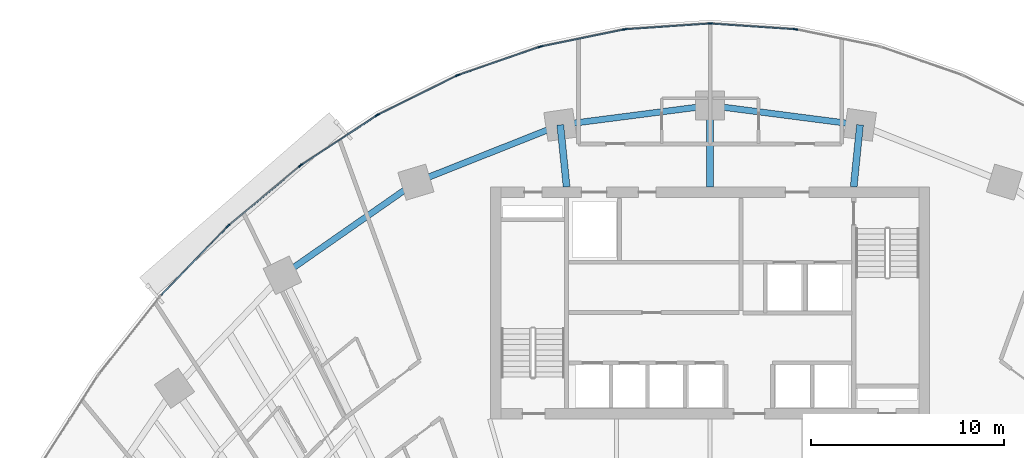
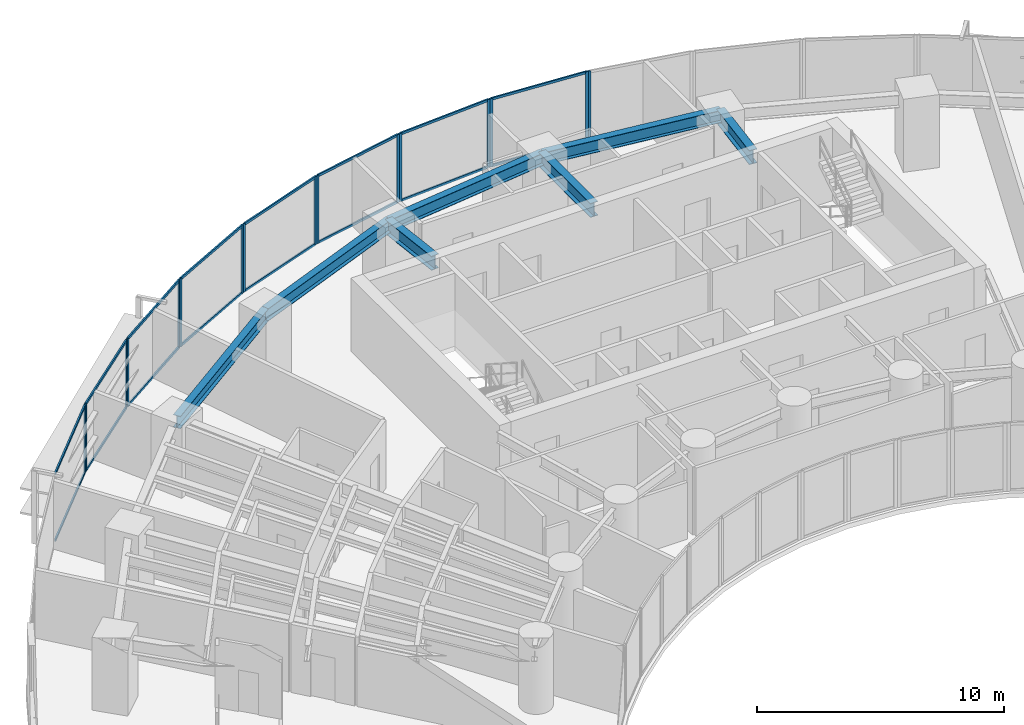
# One storey, part 6 of 18: 32 members, 7 beams, 9 elements without a shape of their own.
"""IFC4 building model written with IfcOpenShell, lengths in metres."""

from ifc_helpers import new_model, si_unit, direction, frame, origin, origin_2d, place, context, subcontext, project, spatial, rectangle, i_section, extrude, source, transform, mapped, material, layer, layer_set, material_profile, profile_set, type_object, type_shapes, element, aggregate, save


model = new_model("IFC4")

# Units and contexts
model_context = context("Model", 3, precision=1e-05, world=origin(), true_north=direction((0.0, 1.0)))
body_context = subcontext(model_context, "Body", "Model", "MODEL_VIEW")
ifc_project = project(units=[si_unit("LENGTHUNIT", "METRE"), si_unit("AREAUNIT", "SQUARE_METRE"), si_unit("VOLUMEUNIT", "CUBIC_METRE"), si_unit("PLANEANGLEUNIT", "RADIAN"), si_unit("MASSUNIT", "GRAM", prefix="KILO")], contexts=[model_context])

# Site, building, storey
site_placement = place(None, origin())
site = spatial("IfcSite", under=ifc_project, at=site_placement, CompositionType="ELEMENT")
building_placement = place(site_placement, origin())
building = spatial("IfcBuilding", under=site, at=building_placement, Name="Breltana Convention Tower", CompositionType="ELEMENT")
storey_placement = place(building_placement, frame((0.0, 0.0, 39.0)))
storey = spatial("IfcBuildingStorey", under=building, at=storey_placement, Name="L07", CompositionType="ELEMENT", Elevation=39.0)

# Beams
ifc_material_1 = material(Name="Steel ASTM A992 Grade 50", Category="steel")
ifc_material_profile_1 = material_profile(ifc_material_1, i_section(OverallWidth=0.323974609375, OverallDepth=0.611083984375, WebThickness=0.0126953125, FlangeThickness=0.01904296875, at=origin_2d()), Name="W24X104")
ifc_profile_set_1 = profile_set([ifc_material_profile_1], Name="Steel ASTM A992 Grade 50")
beam_type_1 = type_object("IfcBeamType", Name="BM-SP-W24X104", PredefinedType="SPANDREL", material=ifc_profile_set_1)
shared_shape_1 = source(origin(), body_context, "Body", "SweptSolid", [
    extrude(i_section(OverallWidth=0.323974609375, OverallDepth=0.611083984375, WebThickness=0.0126953125, FlangeThickness=0.01904296875, at=origin_2d()), origin(), (0.0, 0.0, 1.0), 8.4169921875),
])
beam_1_placement = place(storey_placement, frame((25.8876953125, 67.626953125, 3.054443359375), z_axis=(0.820173800102, 0.572114444519, 0.0), x_axis=(-0.572114444519, 0.820173800102, 0.0)))
element("IfcBeam", 1, at=beam_1_placement, inside=storey, type_object=beam_type_1, Name="L07 Outer Spandrel Beam 03", PredefinedType="SPANDREL", context=body_context, shape_type="MappedRepresentation", body=[
    mapped(shared_shape_1, transform((0.0, 0.0, 0.0), scale=1.0)),
])
shared_shape_2 = source(origin(), body_context, "Body", "SweptSolid", [
    extrude(i_section(OverallWidth=0.323974609375, OverallDepth=0.611083984375, WebThickness=0.0126953125, FlangeThickness=0.01904296875, at=origin_2d()), origin(), (0.0, 0.0, 1.0), 8.028564453125),
])
beam_2_placement = place(storey_placement, frame((32.791015625, 72.4423828125, 3.054443359375), z_axis=(0.929459100394, 0.368925169507, 0.0), x_axis=(-0.368925169507, 0.929459100394, 0.0)))
element("IfcBeam", 2, at=beam_2_placement, inside=storey, type_object=beam_type_1, Name="L07 Outer Spandrel Beam 04", PredefinedType="SPANDREL", context=body_context, shape_type="MappedRepresentation", body=[
    mapped(shared_shape_2, transform((0.0, 0.0, 0.0), scale=1.0)),
])
shared_shape_3 = source(origin(), body_context, "Body", "SweptSolid", [
    extrude(i_section(OverallWidth=0.323974609375, OverallDepth=0.611083984375, WebThickness=0.0126953125, FlangeThickness=0.01904296875, at=origin_2d()), origin(), (0.0, 0.0, 1.0), 7.81103515625),
])
for number, where, z_axis, x_axis, name in (
    (3, (40.253173828125, 75.404296875, 3.054443359375), (0.991775179127, 0.127992164083, 0.0), (-0.127992164083, 0.991775179127, 0.0), "L07 Outer Spandrel Beam 05"),
    (4, (48.0, 76.404052734375, 3.054443359375), (0.991775179127, -0.127992164083, 0.0), (0.127992164083, 0.991775179127, 0.0), "L07 Outer Spandrel Beam 06"),
):
    element("IfcBeam", number, at=place(storey_placement, frame(where, z_axis=z_axis, x_axis=x_axis)), inside=storey, type_object=beam_type_1, Name=name, PredefinedType="SPANDREL", context=body_context, shape_type="MappedRepresentation", body=[
        mapped(shared_shape_3, transform((0.0, 0.0, 0.0), scale=1.0)),
    ])
ifc_material_profile_2 = material_profile(ifc_material_1, i_section(OverallWidth=0.35498046875, OverallDepth=0.696044921875, WebThickness=0.015380859375, FlangeThickness=0.02490234375, at=origin_2d()), Name="W27X146")
ifc_profile_set_2 = profile_set([ifc_material_profile_2], Name="Steel ASTM A992 Grade 50")
beam_type_2 = type_object("IfcBeamType", Name="BM-RG-W27X146", PredefinedType="USERDEFINED", material=ifc_profile_set_2)
shared_shape_4 = source(origin(), body_context, "Body", "SweptSolid", [
    extrude(i_section(OverallWidth=0.35498046875, OverallDepth=0.696044921875, WebThickness=0.015380859375, FlangeThickness=0.02490234375, at=origin_2d()), origin(), (0.0, 0.0, 1.0), 3.220947265625),
])
for number, where, z_axis, x_axis, name in (
    (5, (40.580078125, 72.199951171875, 3.011962890625), (-0.101492254858, 0.994836329355, 0.0), (-0.994836329355, -0.101492254858, 0.0), "L07 North Core Radial Girder R05"),
    (6, (55.419921875, 72.199951171875, 3.011962890625), (0.101492254858, 0.994836329355, 0.0), (-0.994836329355, 0.101492254858, 0.0), "L07 North Core Radial Girder R07"),
):
    element("IfcBeam", number, at=place(storey_placement, frame(where, z_axis=z_axis, x_axis=x_axis)), inside=storey, type_object=beam_type_2, Name=name, ObjectType="GIRDER", PredefinedType="USERDEFINED", context=body_context, shape_type="MappedRepresentation", body=[
        mapped(shared_shape_4, transform((0.0, 0.0, 0.0), scale=1.0)),
    ])
shared_shape_5 = source(origin(), body_context, "Body", "SweptSolid", [
    extrude(i_section(OverallWidth=0.35498046875, OverallDepth=0.696044921875, WebThickness=0.015380859375, FlangeThickness=0.02490234375, at=origin_2d()), origin(), (0.0, 0.0, 1.0), 4.2041015625),
])
beam_3_placement = place(storey_placement, frame((48.0, 72.199951171875, 3.011962890625), z_axis=(0.0, 1.0, 0.0), x_axis=(-1.0, 0.0, 0.0)))
element("IfcBeam", 7, at=beam_3_placement, inside=storey, type_object=beam_type_2, Name="L07 North Core Radial Girder R06", ObjectType="GIRDER", PredefinedType="USERDEFINED", context=body_context, shape_type="MappedRepresentation", body=[
    mapped(shared_shape_5, transform((0.0, 0.0, 0.0), scale=1.0)),
])

# Curtain wall, member
ifc_material_2 = material(Name="Aluminium Anodised Bronze Frame", Category="aluminium")
ifc_layer = layer(ifc_material_2, 0.199951171875, Name="Aluminium Anodised Bronze Frame")
ifc_layer_set = layer_set([ifc_layer], Name="Aluminium Anodised Bronze Frame")
curtain_wall_type = type_object("IfcCurtainWallType", Name="CW-SYS-2", PredefinedType="NOTDEFINED", material=ifc_layer_set)
curtain_wall_1_placement = place(storey_placement, origin())
curtain_wall_1 = element("IfcCurtainWall", 8, at=curtain_wall_1_placement, inside=storey, type_object=curtain_wall_type, Name="L07 outer double-skin inner glazing 3", PredefinedType="NOTDEFINED")
ifc_material_3 = material(Name="Aluminium Anodised Bronze", Category="aluminium")
ifc_material_profile_3 = material_profile(ifc_material_3, rectangle(XDim=0.070068359375, YDim=0.175048828125, at=origin_2d()), Name="CWM-70X175")
ifc_profile_set_3 = profile_set([ifc_material_profile_3], Name="Aluminium Anodised Bronze")
member_type_1 = type_object("IfcMemberType", Name="CWM-175", PredefinedType="MULLION", material=ifc_profile_set_3)
shared_shape_6 = source(origin(), body_context, "Body", "SweptSolid", [
    extrude(rectangle(XDim=0.070068359375, YDim=0.175048828125, at=origin_2d()), origin(), (0.0, 0.0, 1.0), 3.360107421875),
])
type_shapes(member_type_1, [shared_shape_6])
member_1_placement = place(storey_placement, frame((23.044189453125, 70.147705078125, 0.0), z_axis=(0.0, 0.0, 1.0), x_axis=(-0.719386421003, 0.694610090106, 0.0)))
member_1 = element("IfcMember", 9, at=member_1_placement, type_object=member_type_1, Name="CW-02 mullion 2", PredefinedType="MULLION", context=body_context, shape_type="MappedRepresentation", body=[
    mapped(shared_shape_6, transform((0.0, 0.0, 0.0), scale=1.0)),
])

# Curtain wall, members
curtain_wall_2_placement = place(storey_placement, origin())
curtain_wall_2 = element("IfcCurtainWall", 10, at=curtain_wall_2_placement, inside=storey, type_object=curtain_wall_type, Name="L07 outer double-skin inner glazing 4", PredefinedType="NOTDEFINED")
member_2_placement = place(storey_placement, frame((23.09521484375, 70.1953125, 0.0), z_axis=(0.0, 0.0, 1.0), x_axis=(-0.640520193554, 0.767941326958, 0.0)))
member_2 = element("IfcMember", 11, at=member_2_placement, type_object=member_type_1, Name="CW-02 mullion 1", PredefinedType="MULLION", context=body_context, shape_type="MappedRepresentation", body=[
    mapped(shared_shape_6, transform((0.0, 0.0, 0.0), scale=1.0)),
])
member_3_placement = place(storey_placement, frame((26.79736328125, 73.283203125, 0.0), z_axis=(0.0, 0.0, 1.0), x_axis=(-0.640520193554, 0.767941326958, 0.0)))
member_3 = element("IfcMember", 12, at=member_3_placement, type_object=member_type_1, Name="CW-02 mullion 2", PredefinedType="MULLION", context=body_context, shape_type="MappedRepresentation", body=[
    mapped(shared_shape_6, transform((0.0, 0.0, 0.0), scale=1.0)),
])

curtain_wall_3_placement = place(storey_placement, origin())
curtain_wall_3 = element("IfcCurtainWall", 13, at=curtain_wall_3_placement, inside=storey, type_object=curtain_wall_type, Name="L07 outer double-skin inner glazing 5", PredefinedType="NOTDEFINED")
member_4_placement = place(storey_placement, frame((26.853515625, 73.32470703125, 0.0), z_axis=(0.0, 0.0, 1.0), x_axis=(-0.548784255746, 0.83596401875, 0.0)))
member_4 = element("IfcMember", 14, at=member_4_placement, type_object=member_type_1, Name="CW-02 mullion 1", PredefinedType="MULLION", context=body_context, shape_type="MappedRepresentation", body=[
    mapped(shared_shape_6, transform((0.0, 0.0, 0.0), scale=1.0)),
])
member_5_placement = place(storey_placement, frame((30.766357421875, 75.8935546875, 0.0), z_axis=(0.0, 0.0, 1.0), x_axis=(-0.548784255746, 0.83596401875, 0.0)))
member_5 = element("IfcMember", 15, at=member_5_placement, type_object=member_type_1, Name="CW-02 mullion 2", PredefinedType="MULLION", context=body_context, shape_type="MappedRepresentation", body=[
    mapped(shared_shape_6, transform((0.0, 0.0, 0.0), scale=1.0)),
])

curtain_wall_4_placement = place(storey_placement, origin())
curtain_wall_4 = element("IfcCurtainWall", 16, at=curtain_wall_4_placement, inside=storey, type_object=curtain_wall_type, Name="L07 outer double-skin inner glazing 6", PredefinedType="NOTDEFINED")
member_6_placement = place(storey_placement, frame((30.8271484375, 75.92822265625, 0.0), z_axis=(0.0, 0.0, 1.0), x_axis=(-0.444107703726, 0.895973407804, 0.0)))
member_6 = element("IfcMember", 17, at=member_6_placement, type_object=member_type_1, Name="CW-02 mullion 1", PredefinedType="MULLION", context=body_context, shape_type="MappedRepresentation", body=[
    mapped(shared_shape_6, transform((0.0, 0.0, 0.0), scale=1.0)),
])
member_7_placement = place(storey_placement, frame((34.910400390625, 77.9521484375, 0.0), z_axis=(0.0, 0.0, 1.0), x_axis=(-0.444107703726, 0.895973407804, 0.0)))
member_7 = element("IfcMember", 18, at=member_7_placement, type_object=member_type_1, Name="CW-02 mullion 2", PredefinedType="MULLION", context=body_context, shape_type="MappedRepresentation", body=[
    mapped(shared_shape_6, transform((0.0, 0.0, 0.0), scale=1.0)),
])

curtain_wall_5_placement = place(storey_placement, origin())
curtain_wall_5 = element("IfcCurtainWall", 19, at=curtain_wall_5_placement, inside=storey, type_object=curtain_wall_type, Name="L07 outer double-skin inner glazing 7", PredefinedType="NOTDEFINED")
member_8_placement = place(storey_placement, frame((34.974853515625, 77.979248046875, 0.0), z_axis=(0.0, 0.0, 1.0), x_axis=(-0.32742834581, 0.944876012163, 0.0)))
member_8 = element("IfcMember", 20, at=member_8_placement, type_object=member_type_1, Name="CW-02 mullion 1", PredefinedType="MULLION", context=body_context, shape_type="MappedRepresentation", body=[
    mapped(shared_shape_6, transform((0.0, 0.0, 0.0), scale=1.0)),
])
member_9_placement = place(storey_placement, frame((39.1875, 79.43896484375, 0.0), z_axis=(0.0, 0.0, 1.0), x_axis=(-0.32742834581, 0.944876012163, 0.0)))
member_9 = element("IfcMember", 21, at=member_9_placement, type_object=member_type_1, Name="CW-02 mullion 2", PredefinedType="MULLION", context=body_context, shape_type="MappedRepresentation", body=[
    mapped(shared_shape_6, transform((0.0, 0.0, 0.0), scale=1.0)),
])

curtain_wall_6_placement = place(storey_placement, origin())
curtain_wall_6 = element("IfcCurtainWall", 22, at=curtain_wall_6_placement, inside=storey, type_object=curtain_wall_type, Name="L07 outer double-skin inner glazing 8", PredefinedType="NOTDEFINED")
member_10_placement = place(storey_placement, frame((39.2548828125, 79.45751953125, 0.0), z_axis=(0.0, 0.0, 1.0), x_axis=(-0.200884537139, 0.979614925743, 0.0)))
member_10 = element("IfcMember", 23, at=member_10_placement, type_object=member_type_1, Name="CW-02 mullion 1", PredefinedType="MULLION", context=body_context, shape_type="MappedRepresentation", body=[
    mapped(shared_shape_6, transform((0.0, 0.0, 0.0), scale=1.0)),
])
member_11_placement = place(storey_placement, frame((43.5537109375, 80.339111328125, 0.0), z_axis=(0.0, 0.0, 1.0), x_axis=(-0.200884537139, 0.979614925743, 0.0)))
member_11 = element("IfcMember", 24, at=member_11_placement, type_object=member_type_1, Name="CW-02 mullion 2", PredefinedType="MULLION", context=body_context, shape_type="MappedRepresentation", body=[
    mapped(shared_shape_6, transform((0.0, 0.0, 0.0), scale=1.0)),
])

curtain_wall_7_placement = place(storey_placement, origin())
curtain_wall_7 = element("IfcCurtainWall", 25, at=curtain_wall_7_placement, inside=storey, type_object=curtain_wall_type, Name="L07 outer double-skin inner glazing 9", PredefinedType="NOTDEFINED")
member_12_placement = place(storey_placement, frame((43.622802734375, 80.348388671875, 0.0), z_axis=(0.0, 0.0, 1.0), x_axis=(-0.067725650529, 0.997703982282, 0.0)))
member_12 = element("IfcMember", 26, at=member_12_placement, type_object=member_type_1, Name="CW-02 mullion 1", PredefinedType="MULLION", context=body_context, shape_type="MappedRepresentation", body=[
    mapped(shared_shape_6, transform((0.0, 0.0, 0.0), scale=1.0)),
])
member_13_placement = place(storey_placement, frame((47.965087890625, 80.643310546875, 0.0), z_axis=(0.0, 0.0, 1.0), x_axis=(-0.067725650529, 0.997703982282, 0.0)))
member_13 = element("IfcMember", 27, at=member_13_placement, type_object=member_type_1, Name="CW-02 mullion 2", PredefinedType="MULLION", context=body_context, shape_type="MappedRepresentation", body=[
    mapped(shared_shape_6, transform((0.0, 0.0, 0.0), scale=1.0)),
])

curtain_wall_8_placement = place(storey_placement, origin())
curtain_wall_8 = element("IfcCurtainWall", 28, at=curtain_wall_8_placement, inside=storey, type_object=curtain_wall_type, Name="L07 outer double-skin inner glazing 10", PredefinedType="NOTDEFINED")
member_14_placement = place(storey_placement, frame((48.034912109375, 80.643310546875, 0.0), z_axis=(0.0, 0.0, 1.0), x_axis=(0.067725650529, 0.997703982282, 0.0)))
member_14 = element("IfcMember", 29, at=member_14_placement, type_object=member_type_1, Name="CW-02 mullion 1", PredefinedType="MULLION", context=body_context, shape_type="MappedRepresentation", body=[
    mapped(shared_shape_6, transform((0.0, 0.0, 0.0), scale=1.0)),
])
member_15_placement = place(storey_placement, frame((52.377197265625, 80.348388671875, 0.0), z_axis=(0.0, 0.0, 1.0), x_axis=(0.067725650529, 0.997703982282, 0.0)))
member_15 = element("IfcMember", 30, at=member_15_placement, type_object=member_type_1, Name="CW-02 mullion 2", PredefinedType="MULLION", context=body_context, shape_type="MappedRepresentation", body=[
    mapped(shared_shape_6, transform((0.0, 0.0, 0.0), scale=1.0)),
])

# Curtain wall, member
curtain_wall_9_placement = place(storey_placement, origin())
curtain_wall_9 = element("IfcCurtainWall", 31, at=curtain_wall_9_placement, inside=storey, type_object=curtain_wall_type, Name="L07 outer double-skin inner glazing 11", PredefinedType="NOTDEFINED")
member_16_placement = place(storey_placement, frame((52.4462890625, 80.339111328125, 0.0), z_axis=(0.0, 0.0, 1.0), x_axis=(0.200884537139, 0.979614925743, 0.0)))
member_16 = element("IfcMember", 32, at=member_16_placement, type_object=member_type_1, Name="CW-02 mullion 1", PredefinedType="MULLION", context=body_context, shape_type="MappedRepresentation", body=[
    mapped(shared_shape_6, transform((0.0, 0.0, 0.0), scale=1.0)),
])
aggregate(curtain_wall_9, [member_16])

# Member
ifc_material_profile_4 = material_profile(ifc_material_3, rectangle(XDim=0.070068359375, YDim=0.1201171875, at=origin_2d()), Name="CWT-70X120")
ifc_profile_set_4 = profile_set([ifc_material_profile_4], Name="Aluminium Anodised Bronze")
member_type_2 = type_object("IfcMemberType", Name="CWT-120", PredefinedType="USERDEFINED", material=ifc_profile_set_4)
shared_shape_7 = source(origin(), body_context, "Body", "SweptSolid", [
    extrude(rectangle(XDim=0.070068359375, YDim=0.1201171875, at=origin_2d()), origin(), (0.0, 0.0, 1.0), 4.901123046875),
])
member_17_placement = place(storey_placement, frame((19.615478515625, 66.5966796875, 0.034912109375), z_axis=(0.6945945137, 0.719401460617, 0.0), x_axis=(-0.719401460617, 0.6945945137, 0.0)))
member_17 = element("IfcMember", 33, at=member_17_placement, type_object=member_type_2, Name="CW-02 transom 1.1", ObjectType="TRANSOM", PredefinedType="USERDEFINED", context=body_context, shape_type="MappedRepresentation", body=[
    mapped(shared_shape_7, transform((0.0, 0.0, 0.0), scale=1.0)),
])

member_18_placement = place(storey_placement, frame((19.615478515625, 66.5966796875, 3.324951171875), z_axis=(0.6945945137, 0.719401460617, 0.0), x_axis=(-0.719401460617, 0.6945945137, 0.0)))
member_18 = element("IfcMember", 34, at=member_18_placement, type_object=member_type_2, Name="CW-02 transom 1.2", ObjectType="TRANSOM", PredefinedType="USERDEFINED", context=body_context, shape_type="MappedRepresentation", body=[
    mapped(shared_shape_7, transform((0.0, 0.0, 0.0), scale=1.0)),
])

aggregate(curtain_wall_1, [member_1, member_17, member_18])

shared_shape_8 = source(origin(), body_context, "Body", "SweptSolid", [
    extrude(rectangle(XDim=0.070068359375, YDim=0.1201171875, at=origin_2d()), origin(), (0.0, 0.0, 1.0), 4.7509765625),
])
member_19_placement = place(storey_placement, frame((23.1220703125, 70.2177734375, 0.034912109375), z_axis=(0.767951631807, 0.64050783852, 0.0), x_axis=(-0.64050783852, 0.767951631807, 0.0)))
member_19 = element("IfcMember", 35, at=member_19_placement, type_object=member_type_2, Name="CW-02 transom 1.1", ObjectType="TRANSOM", PredefinedType="USERDEFINED", context=body_context, shape_type="MappedRepresentation", body=[
    mapped(shared_shape_8, transform((0.0, 0.0, 0.0), scale=1.0)),
])

member_20_placement = place(storey_placement, frame((23.1220703125, 70.2177734375, 3.324951171875), z_axis=(0.767951631807, 0.64050783852, 0.0), x_axis=(-0.64050783852, 0.767951631807, 0.0)))
member_20 = element("IfcMember", 36, at=member_20_placement, type_object=member_type_2, Name="CW-02 transom 1.2", ObjectType="TRANSOM", PredefinedType="USERDEFINED", context=body_context, shape_type="MappedRepresentation", body=[
    mapped(shared_shape_8, transform((0.0, 0.0, 0.0), scale=1.0)),
])

aggregate(curtain_wall_2, [member_2, member_3, member_19, member_20])

shared_shape_9 = source(origin(), body_context, "Body", "SweptSolid", [
    extrude(rectangle(XDim=0.070068359375, YDim=0.1201171875, at=origin_2d()), origin(), (0.0, 0.0, 1.0), 4.610595703125),
])
member_21_placement = place(storey_placement, frame((26.8828125, 73.343994140625, 0.034912109375), z_axis=(0.835956055104, 0.54879638659, 0.0), x_axis=(-0.54879638659, 0.835956055104, 0.0)))
member_21 = element("IfcMember", 37, at=member_21_placement, type_object=member_type_2, Name="CW-02 transom 1.1", ObjectType="TRANSOM", PredefinedType="USERDEFINED", context=body_context, shape_type="MappedRepresentation", body=[
    mapped(shared_shape_9, transform((0.0, 0.0, 0.0), scale=1.0)),
])

member_22_placement = place(storey_placement, frame((26.8828125, 73.343994140625, 3.324951171875), z_axis=(0.835956055104, 0.54879638659, 0.0), x_axis=(-0.54879638659, 0.835956055104, 0.0)))
member_22 = element("IfcMember", 38, at=member_22_placement, type_object=member_type_2, Name="CW-02 transom 1.2", ObjectType="TRANSOM", PredefinedType="USERDEFINED", context=body_context, shape_type="MappedRepresentation", body=[
    mapped(shared_shape_9, transform((0.0, 0.0, 0.0), scale=1.0)),
])

aggregate(curtain_wall_3, [member_4, member_5, member_21, member_22])

shared_shape_10 = source(origin(), body_context, "Body", "SweptSolid", [
    extrude(rectangle(XDim=0.070068359375, YDim=0.1201171875, at=origin_2d()), origin(), (0.0, 0.0, 1.0), 4.487548828125),
])
member_23_placement = place(storey_placement, frame((30.8583984375, 75.94384765625, 0.034912109375), z_axis=(0.895977728863, 0.444098986017, 0.0), x_axis=(-0.444098986017, 0.895977728863, 0.0)))
member_23 = element("IfcMember", 39, at=member_23_placement, type_object=member_type_2, Name="CW-02 transom 1.1", ObjectType="TRANSOM", PredefinedType="USERDEFINED", context=body_context, shape_type="MappedRepresentation", body=[
    mapped(shared_shape_10, transform((0.0, 0.0, 0.0), scale=1.0)),
])

member_24_placement = place(storey_placement, frame((30.8583984375, 75.94384765625, 3.324951171875), z_axis=(0.895977728863, 0.444098986017, 0.0), x_axis=(-0.444098986017, 0.895977728863, 0.0)))
member_24 = element("IfcMember", 40, at=member_24_placement, type_object=member_type_2, Name="CW-02 transom 1.2", ObjectType="TRANSOM", PredefinedType="USERDEFINED", context=body_context, shape_type="MappedRepresentation", body=[
    mapped(shared_shape_10, transform((0.0, 0.0, 0.0), scale=1.0)),
])

aggregate(curtain_wall_4, [member_6, member_7, member_23, member_24])

shared_shape_11 = source(origin(), body_context, "Body", "SweptSolid", [
    extrude(rectangle(XDim=0.070068359375, YDim=0.1201171875, at=origin_2d()), origin(), (0.0, 0.0, 1.0), 4.38818359375),
])
member_25_placement = place(storey_placement, frame((35.008056640625, 77.99072265625, 0.034912109375), z_axis=(0.944878203019, 0.32742202348, 0.0), x_axis=(-0.32742202348, 0.944878203019, 0.0)))
member_25 = element("IfcMember", 41, at=member_25_placement, type_object=member_type_2, Name="CW-02 transom 1.1", ObjectType="TRANSOM", PredefinedType="USERDEFINED", context=body_context, shape_type="MappedRepresentation", body=[
    mapped(shared_shape_11, transform((0.0, 0.0, 0.0), scale=1.0)),
])

member_26_placement = place(storey_placement, frame((35.008056640625, 77.99072265625, 3.324951171875), z_axis=(0.944878203019, 0.32742202348, 0.0), x_axis=(-0.32742202348, 0.944878203019, 0.0)))
member_26 = element("IfcMember", 42, at=member_26_placement, type_object=member_type_2, Name="CW-02 transom 1.2", ObjectType="TRANSOM", PredefinedType="USERDEFINED", context=body_context, shape_type="MappedRepresentation", body=[
    mapped(shared_shape_11, transform((0.0, 0.0, 0.0), scale=1.0)),
])

aggregate(curtain_wall_5, [member_8, member_9, member_25, member_26])

shared_shape_12 = source(origin(), body_context, "Body", "SweptSolid", [
    extrude(rectangle(XDim=0.070068359375, YDim=0.1201171875, at=origin_2d()), origin(), (0.0, 0.0, 1.0), 4.318359375),
])
member_27_placement = place(storey_placement, frame((39.2890625, 79.464599609375, 0.034912109375), z_axis=(0.979616680923, 0.200875977799, 0.0), x_axis=(-0.200875977799, 0.979616680923, 0.0)))
member_27 = element("IfcMember", 43, at=member_27_placement, type_object=member_type_2, Name="CW-02 transom 1.1", ObjectType="TRANSOM", PredefinedType="USERDEFINED", context=body_context, shape_type="MappedRepresentation", body=[
    mapped(shared_shape_12, transform((0.0, 0.0, 0.0), scale=1.0)),
])

member_28_placement = place(storey_placement, frame((39.2890625, 79.464599609375, 3.324951171875), z_axis=(0.979616680923, 0.200875977799, 0.0), x_axis=(-0.200875977799, 0.979616680923, 0.0)))
member_28 = element("IfcMember", 44, at=member_28_placement, type_object=member_type_2, Name="CW-02 transom 1.2", ObjectType="TRANSOM", PredefinedType="USERDEFINED", context=body_context, shape_type="MappedRepresentation", body=[
    mapped(shared_shape_12, transform((0.0, 0.0, 0.0), scale=1.0)),
])

aggregate(curtain_wall_6, [member_10, member_11, member_27, member_28])

shared_shape_13 = source(origin(), body_context, "Body", "SweptSolid", [
    extrude(rectangle(XDim=0.070068359375, YDim=0.1201171875, at=origin_2d()), origin(), (0.0, 0.0, 1.0), 4.2822265625),
])
member_29_placement = place(storey_placement, frame((43.65771484375, 80.350830078125, 0.034912109375), z_axis=(0.997703698684, 0.067729828231, 0.0), x_axis=(-0.067729828231, 0.997703698684, 0.0)))
member_29 = element("IfcMember", 45, at=member_29_placement, type_object=member_type_2, Name="CW-02 transom 1.1", ObjectType="TRANSOM", PredefinedType="USERDEFINED", context=body_context, shape_type="MappedRepresentation", body=[
    mapped(shared_shape_13, transform((0.0, 0.0, 0.0), scale=1.0)),
])

member_30_placement = place(storey_placement, frame((43.65771484375, 80.350830078125, 3.324951171875), z_axis=(0.997703698684, 0.067729828231, 0.0), x_axis=(-0.067729828231, 0.997703698684, 0.0)))
member_30 = element("IfcMember", 46, at=member_30_placement, type_object=member_type_2, Name="CW-02 transom 1.2", ObjectType="TRANSOM", PredefinedType="USERDEFINED", context=body_context, shape_type="MappedRepresentation", body=[
    mapped(shared_shape_13, transform((0.0, 0.0, 0.0), scale=1.0)),
])

aggregate(curtain_wall_7, [member_12, member_13, member_29, member_30])

member_31_placement = place(storey_placement, frame((48.06982421875, 80.640869140625, 0.034912109375), z_axis=(0.997703698684, -0.067729828231, 0.0), x_axis=(0.067729828231, 0.997703698684, 0.0)))
member_31 = element("IfcMember", 47, at=member_31_placement, type_object=member_type_2, Name="CW-02 transom 1.1", ObjectType="TRANSOM", PredefinedType="USERDEFINED", context=body_context, shape_type="MappedRepresentation", body=[
    mapped(shared_shape_13, transform((0.0, 0.0, 0.0), scale=1.0)),
])

member_32_placement = place(storey_placement, frame((48.06982421875, 80.640869140625, 3.324951171875), z_axis=(0.997703698684, -0.067729828231, 0.0), x_axis=(0.067729828231, 0.997703698684, 0.0)))
member_32 = element("IfcMember", 48, at=member_32_placement, type_object=member_type_2, Name="CW-02 transom 1.2", ObjectType="TRANSOM", PredefinedType="USERDEFINED", context=body_context, shape_type="MappedRepresentation", body=[
    mapped(shared_shape_13, transform((0.0, 0.0, 0.0), scale=1.0)),
])

aggregate(curtain_wall_8, [member_14, member_15, member_31, member_32])

save(model, "model.ifc")
